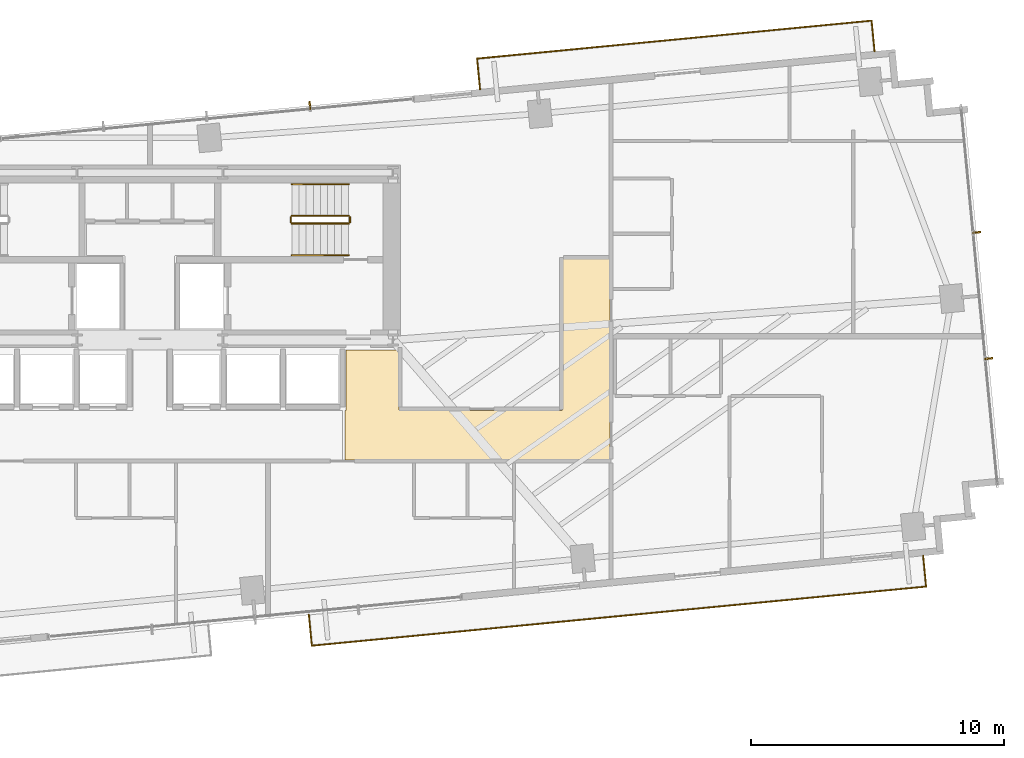
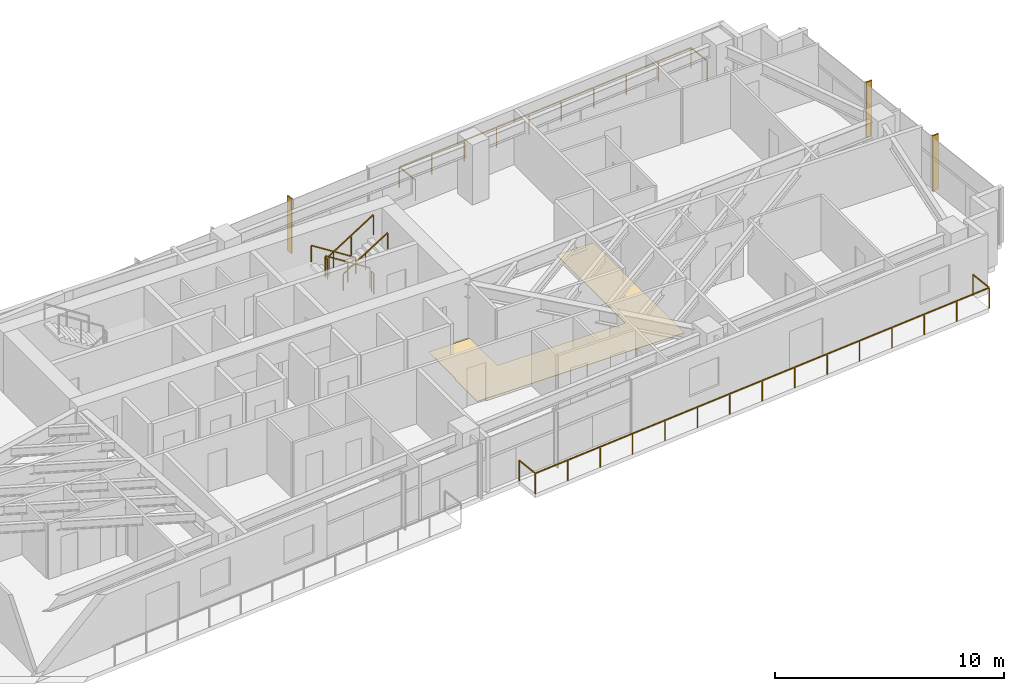
# One storey, part 27 of 27: 8 railings, 3 shading devices, 1 covering.
"""IFC4 building model written with IfcOpenShell, lengths in metres."""

from ifc_helpers import new_model, si_unit, direction, frame, origin, origin_2d, place, context, subcontext, project, spatial, polyline, rectangle, outline, extrude, source, transform, mapped, material, layer, layer_set, type_object, type_shapes, element, save


model = new_model("IFC4")

# Units and contexts
model_context = context("Model", 3, precision=1e-05, world=origin(), true_north=direction((0.0, 1.0)))
body_context = subcontext(model_context, "Body", "Model", "MODEL_VIEW")
ifc_project = project(units=[si_unit("LENGTHUNIT", "METRE"), si_unit("AREAUNIT", "SQUARE_METRE"), si_unit("VOLUMEUNIT", "CUBIC_METRE"), si_unit("PLANEANGLEUNIT", "RADIAN"), si_unit("MASSUNIT", "GRAM", prefix="KILO")], contexts=[model_context])

# Site, building, storey
site_placement = place(None, origin())
site = spatial("IfcSite", under=ifc_project, at=site_placement, CompositionType="ELEMENT")
building_placement = place(site_placement, origin())
building = spatial("IfcBuilding", under=site, at=building_placement, Name="Astriad Promenade Condominiums", CompositionType="ELEMENT")
storey_placement = place(building_placement, frame((0.0, 0.0, 97.0)))
storey = spatial("IfcBuildingStorey", under=building, at=storey_placement, Name="L27", CompositionType="ELEMENT", Elevation=97.0)

# Covering
ifc_material_1 = material(Name="Polished Lakefront Terrazzo Flooring")
ifc_layer = layer(ifc_material_1, 0.02001953125)
ifc_layer_set = layer_set([ifc_layer], Name="Polished Lakefront Terrazzo Flooring")
covering_type = type_object("IfcCoveringType", Name="COV-FLOR-TERRAZZO-20", PredefinedType="FLOORING", material=ifc_layer_set)
covering_placement = place(storey_placement, origin())
element("IfcCovering", 1, at=covering_placement, inside=storey, type_object=covering_type, Name="FLR-L27-COR-1", PredefinedType="FLOORING", context=body_context, shape_type="SweptSolid", body=[
    extrude(outline(polyline([(43.699951171875, 12.669921875), (43.699951171875, 14.610107421875), (43.703857421875, 14.610107421875), (43.707763671875, 14.61083984375), (43.711669921875, 14.61181640625), (43.71533203125, 14.613037109375), (43.718994140625, 14.61474609375), (43.72216796875, 14.61669921875), (43.725341796875, 14.619140625), (43.728271484375, 14.62158203125), (43.73095703125, 14.62451171875), (43.7333984375, 14.627685546875), (43.7353515625, 14.631103515625), (43.737060546875, 14.634765625), (43.73828125, 14.638427734375), (43.7392578125, 14.64208984375), (43.73974609375, 14.64599609375), (43.739990234375, 14.64990234375), (43.739990234375, 17.010009765625), (45.840087890625, 17.010009765625), (45.840087890625, 14.659912109375), (45.840087890625, 14.656005859375), (45.8408203125, 14.652099609375), (45.841796875, 14.6484375), (45.843017578125, 14.644775390625), (45.8447265625, 14.64111328125), (45.8466796875, 14.6376953125), (45.84912109375, 14.634521484375), (45.851806640625, 14.631591796875), (45.8544921875, 14.629150390625), (45.85791015625, 14.626708984375), (45.861083984375, 14.624755859375), (45.86474609375, 14.623046875), (45.868408203125, 14.62158203125), (45.872314453125, 14.620849609375), (45.876220703125, 14.6201171875), (45.8798828125, 14.6201171875), (52.25, 14.6201171875), (52.25390625, 14.6201171875), (52.2578125, 14.620849609375), (52.26171875, 14.62158203125), (52.265380859375, 14.623046875), (52.268798828125, 14.624755859375), (52.272216796875, 14.626708984375), (52.275390625, 14.629150390625), (52.2783203125, 14.631591796875), (52.281005859375, 14.634521484375), (52.283203125, 14.6376953125), (52.285400390625, 14.64111328125), (52.287109375, 14.644775390625), (52.288330078125, 14.6484375), (52.289306640625, 14.652099609375), (52.289794921875, 14.656005859375), (52.2900390625, 14.659912109375), (52.2900390625, 20.610107421875), (54.159912109375, 20.610107421875), (54.159912109375, 12.669921875), (43.699951171875, 12.669921875)])), origin(), (0.0, 0.0, 1.0), 0.02001953125),
])

# Shading devices
ifc_material_2 = material(Name="Anodised aluminium 6063-T6 Black Fin", Category="aluminium")
shading_device_type = type_object("IfcShadingDeviceType", Name="FIN-BLACK-320", PredefinedType="USERDEFINED", material=ifc_material_2)
shared_shape_1 = source(origin(), body_context, "Body", "SweptSolid", [
    extrude(rectangle(XDim=0.06494140625, YDim=0.320068359375, at=origin_2d()), origin(), (0.0, 0.0, 1.0), 2.93994140625),
])
type_shapes(shading_device_type, [shared_shape_1])
for number, where, z_axis, x_axis, name in (
    (2, (42.31689453125, 26.656494140625, 0.0), (0.0, 0.0, 1.0), (0.995396198367, 0.09584575252, 0.0), "CW-L27-N-FIN-03"),
    (3, (68.63330078125, 21.6455078125, 0.0), (0.0, 0.0, 1.0), (0.09584575252, -0.995396198367, 0.0), "CW-L27-E-FIN-01"),
    (4, (69.1123046875, 16.668701171875, 0.0), (0.0, 0.0, 1.0), (0.09584575252, -0.995396198367, 0.0), "CW-L27-E-FIN-02"),
):
    element("IfcShadingDevice", number, at=place(storey_placement, frame(where, z_axis=z_axis, x_axis=x_axis)), inside=storey, type_object=shading_device_type, Name=name, ObjectType="FIN", PredefinedType="USERDEFINED", context=body_context, shape_type="MappedRepresentation", body=[
        mapped(shared_shape_1, transform((0.0, 0.0, 0.0), scale=1.0)),
    ])

# Railings
ifc_material_3 = material(Name="Laminated Glass and Stainless Steel Balustrade", Category="steel")
railing_type_1 = type_object("IfcRailingType", Name="GRD-BALC-1120", PredefinedType="BALUSTRADE", material=ifc_material_3)
shared_shape_2 = source(origin(), body_context, "Body", "SweptSolid", [
    extrude(rectangle(XDim=0.048095703125, YDim=0.048095703125, at=origin_2d()), frame((0.0, 0.0, 1.09619140625), z_axis=(0.095857307208, -0.99539508571, 0.0), x_axis=(0.99539508571, 0.095857307208, 0.0)), (0.0, 0.0, 1.0), 1.219970703125),
    extrude(rectangle(XDim=0.048095703125, YDim=0.048095703125, at=origin_2d()), frame((0.116943359375, -1.21435546875, 1.09619140625), z_axis=(0.995396955122, 0.095837892993, 0.0), x_axis=(-0.095837892993, 0.995396955122, 0.0)), (0.0, 0.0, 1.0), 24.35595703125),
    extrude(rectangle(XDim=0.048095703125, YDim=0.048095703125, at=origin_2d()), frame((24.36083984375, 1.119873046875, 1.09619140625), z_axis=(-0.0958382164, 0.995396923984, 0.0), x_axis=(-0.995396923984, -0.0958382164, 0.0)), (0.0, 0.0, 1.0), 1.22021484375),
    extrude(rectangle(XDim=0.0419921875, YDim=0.0419921875, at=origin_2d()), origin(), (0.0, 0.0, 1.0), 1.072021484375),
    extrude(rectangle(XDim=0.0419921875, YDim=0.0419921875, at=origin_2d()), frame((0.116943359375, -1.21435546875, 0.0)), (0.0, 0.0, 1.0), 1.072021484375),
    extrude(rectangle(XDim=0.0419921875, YDim=0.0419921875, at=origin_2d()), frame((1.8486328125, -1.047607421875, 0.0)), (0.0, 0.0, 1.0), 1.072021484375),
    extrude(rectangle(XDim=0.0419921875, YDim=0.0419921875, at=origin_2d()), frame((3.580322265625, -0.880859375, 0.0)), (0.0, 0.0, 1.0), 1.072021484375),
    extrude(rectangle(XDim=0.0419921875, YDim=0.0419921875, at=origin_2d()), frame((5.31201171875, -0.714111328125, 0.0)), (0.0, 0.0, 1.0), 1.072021484375),
    extrude(rectangle(XDim=0.0419921875, YDim=0.0419921875, at=origin_2d()), frame((7.043701171875, -0.54736328125, 0.0)), (0.0, 0.0, 1.0), 1.072021484375),
    extrude(rectangle(XDim=0.0419921875, YDim=0.0419921875, at=origin_2d()), frame((8.775390625, -0.380615234375, 0.0)), (0.0, 0.0, 1.0), 1.072021484375),
    extrude(rectangle(XDim=0.0419921875, YDim=0.0419921875, at=origin_2d()), frame((10.507080078125, -0.2138671875, 0.0)), (0.0, 0.0, 1.0), 1.072021484375),
    extrude(rectangle(XDim=0.0419921875, YDim=0.0419921875, at=origin_2d()), frame((12.23876953125, -0.04736328125, 0.0)), (0.0, 0.0, 1.0), 1.072021484375),
    extrude(rectangle(XDim=0.0419921875, YDim=0.0419921875, at=origin_2d()), frame((13.970703125, 0.119384765625, 0.0)), (0.0, 0.0, 1.0), 1.072021484375),
    extrude(rectangle(XDim=0.0419921875, YDim=0.0419921875, at=origin_2d()), frame((15.702392578125, 0.2861328125, 0.0)), (0.0, 0.0, 1.0), 1.072021484375),
    extrude(rectangle(XDim=0.0419921875, YDim=0.0419921875, at=origin_2d()), frame((17.43408203125, 0.452880859375, 0.0)), (0.0, 0.0, 1.0), 1.072021484375),
    extrude(rectangle(XDim=0.0419921875, YDim=0.0419921875, at=origin_2d()), frame((19.165771484375, 0.61962890625, 0.0)), (0.0, 0.0, 1.0), 1.072021484375),
    extrude(rectangle(XDim=0.0419921875, YDim=0.0419921875, at=origin_2d()), frame((20.8974609375, 0.786376953125, 0.0)), (0.0, 0.0, 1.0), 1.072021484375),
    extrude(rectangle(XDim=0.0419921875, YDim=0.0419921875, at=origin_2d()), frame((22.629150390625, 0.953125, 0.0)), (0.0, 0.0, 1.0), 1.072021484375),
    extrude(rectangle(XDim=0.0419921875, YDim=0.0419921875, at=origin_2d()), frame((24.36083984375, 1.119873046875, 0.0)), (0.0, 0.0, 1.0), 1.072021484375),
    extrude(rectangle(XDim=0.0419921875, YDim=0.0419921875, at=origin_2d()), frame((24.243896484375, 2.33447265625, 0.0)), (0.0, 0.0, 1.0), 1.072021484375),
])
railing_1_placement = place(storey_placement, frame((42.276611328125, 6.550048828125, 0.0)))
element("IfcRailing", 5, at=railing_1_placement, inside=storey, type_object=railing_type_1, Name="GRD-BALC-L27-SE", PredefinedType="BALUSTRADE", context=body_context, shape_type="MappedRepresentation", body=[
    mapped(shared_shape_2, transform((0.0, 0.0, 0.0), scale=1.0)),
])
shared_shape_3 = source(origin(), body_context, "Body", "SweptSolid", [
    extrude(rectangle(XDim=0.048095703125, YDim=0.048095703125, at=origin_2d()), frame((0.0, 0.0, 1.09619140625), z_axis=(-0.095659020692, 0.99541416092, 0.0), x_axis=(-0.99541416092, -0.095659020692, 0.0)), (0.0, 0.0, 1.0), 1.219970703125),
    extrude(rectangle(XDim=0.048095703125, YDim=0.048095703125, at=origin_2d()), frame((-0.11669921875, 1.21435546875, 1.09619140625), z_axis=(-0.995397098146, -0.095836407502, 0.0), x_axis=(0.095836407502, -0.995397098146, 0.0)), (0.0, 0.0, 1.0), 15.64404296875),
    extrude(rectangle(XDim=0.048095703125, YDim=0.048095703125, at=origin_2d()), frame((-15.688720703125, -0.284912109375, 1.09619140625), z_axis=(0.095659020692, -0.99541416092, 0.0), x_axis=(0.99541416092, 0.095659020692, 0.0)), (0.0, 0.0, 1.0), 1.219970703125),
    extrude(rectangle(XDim=0.0419921875, YDim=0.0419921875, at=origin_2d()), origin(), (0.0, 0.0, 1.0), 1.072021484375),
    extrude(rectangle(XDim=0.0419921875, YDim=0.0419921875, at=origin_2d()), frame((-0.11669921875, 1.21435546875, 0.0)), (0.0, 0.0, 1.0), 1.072021484375),
    extrude(rectangle(XDim=0.0419921875, YDim=0.0419921875, at=origin_2d()), frame((-1.846923828125, 1.0478515625, 0.0)), (0.0, 0.0, 1.0), 1.072021484375),
    extrude(rectangle(XDim=0.0419921875, YDim=0.0419921875, at=origin_2d()), frame((-3.5771484375, 0.881103515625, 0.0)), (0.0, 0.0, 1.0), 1.072021484375),
    extrude(rectangle(XDim=0.0419921875, YDim=0.0419921875, at=origin_2d()), frame((-5.307373046875, 0.714599609375, 0.0)), (0.0, 0.0, 1.0), 1.072021484375),
    extrude(rectangle(XDim=0.0419921875, YDim=0.0419921875, at=origin_2d()), frame((-7.03759765625, 0.548095703125, 0.0)), (0.0, 0.0, 1.0), 1.072021484375),
    extrude(rectangle(XDim=0.0419921875, YDim=0.0419921875, at=origin_2d()), frame((-8.767822265625, 0.38134765625, 0.0)), (0.0, 0.0, 1.0), 1.072021484375),
    extrude(rectangle(XDim=0.0419921875, YDim=0.0419921875, at=origin_2d()), frame((-10.498046875, 0.21484375, 0.0)), (0.0, 0.0, 1.0), 1.072021484375),
    extrude(rectangle(XDim=0.0419921875, YDim=0.0419921875, at=origin_2d()), frame((-12.228271484375, 0.04833984375, 0.0)), (0.0, 0.0, 1.0), 1.072021484375),
    extrude(rectangle(XDim=0.0419921875, YDim=0.0419921875, at=origin_2d()), frame((-13.95849609375, -0.118408203125, 0.0)), (0.0, 0.0, 1.0), 1.072021484375),
    extrude(rectangle(XDim=0.0419921875, YDim=0.0419921875, at=origin_2d()), frame((-15.688720703125, -0.284912109375, 0.0)), (0.0, 0.0, 1.0), 1.072021484375),
    extrude(rectangle(XDim=0.0419921875, YDim=0.0419921875, at=origin_2d()), frame((-15.572021484375, -1.499267578125, 0.0)), (0.0, 0.0, 1.0), 1.072021484375),
])
type_shapes(railing_type_1, [shared_shape_2, shared_shape_3])
railing_2_placement = place(storey_placement, frame((64.603515625, 28.792236328125, 0.0)))
element("IfcRailing", 6, at=railing_2_placement, inside=storey, type_object=railing_type_1, Name="GRD-BALC-L27-NE", PredefinedType="BALUSTRADE", context=body_context, shape_type="MappedRepresentation", body=[
    mapped(shared_shape_3, transform((0.0, 0.0, 0.0), scale=1.0)),
])
ifc_material_4 = material(Name="Painted Galvanised Steel Guardrail", Category="steel")
railing_type_2 = type_object("IfcRailingType", Name="GRD-STAIR-1100", PredefinedType="GUARDRAIL", material=ifc_material_4)
shared_shape_4 = source(origin(), body_context, "Body", "SweptSolid", [
    extrude(rectangle(XDim=0.048095703125, YDim=0.048095703125, at=origin_2d()), frame((0.0, 0.0, 1.076171875), z_axis=(0.8442293374, 0.0, 0.53598211339), x_axis=(0.0, 1.0, 0.0)), (0.0, 0.0, 1.0), 2.6533203125),
    extrude(rectangle(XDim=0.0419921875, YDim=0.0419921875, at=origin_2d()), origin(), (0.0, 0.0, 1.0), 1.052001953125),
    extrude(rectangle(XDim=0.0419921875, YDim=0.0419921875, at=origin_2d()), frame((1.1201171875, 0.0, 0.7109375)), (0.0, 0.0, 1.0), 1.052001953125),
    extrude(rectangle(XDim=0.0419921875, YDim=0.0419921875, at=origin_2d()), frame((2.239990234375, 0.0, 1.422119140625)), (0.0, 0.0, 1.0), 1.052001953125),
])
railing_3_placement = place(storey_placement, frame((41.610107421875, 22.0, 1.77783203125)))
element("IfcRailing", 7, at=railing_3_placement, inside=storey, type_object=railing_type_2, Name="L27 ST-2 stair guard 3", PredefinedType="GUARDRAIL", context=body_context, shape_type="MappedRepresentation", body=[
    mapped(shared_shape_4, transform((0.0, 0.0, 0.0), scale=1.0)),
])
shared_shape_5 = source(origin(), body_context, "Body", "SweptSolid", [
    extrude(rectangle(XDim=0.048095703125, YDim=0.048095703125, at=origin_2d()), frame((0.0, 0.0, 1.076171875), z_axis=(-0.84418770128, 0.0, 0.536047689118), x_axis=(0.0, -1.0, 0.0)), (0.0, 0.0, 1.0), 2.6533203125),
    extrude(rectangle(XDim=0.0419921875, YDim=0.0419921875, at=origin_2d()), origin(), (0.0, 0.0, 1.0), 1.052001953125),
    extrude(rectangle(XDim=0.0419921875, YDim=0.0419921875, at=origin_2d()), frame((-1.1201171875, 0.0, 0.711181640625)), (0.0, 0.0, 1.0), 1.052001953125),
    extrude(rectangle(XDim=0.0419921875, YDim=0.0419921875, at=origin_2d()), frame((-2.239990234375, 0.0, 1.42236328125)), (0.0, 0.0, 1.0), 1.052001953125),
])
railing_4_placement = place(storey_placement, frame((43.85009765625, 22.300048828125, 0.177734375)))
element("IfcRailing", 8, at=railing_4_placement, inside=storey, type_object=railing_type_2, Name="L27 ST-2 stair guard 1", PredefinedType="GUARDRAIL", context=body_context, shape_type="MappedRepresentation", body=[
    mapped(shared_shape_5, transform((0.0, 0.0, 0.0), scale=1.0)),
])
ifc_material_5 = material(Name="Brushed Stainless Steel Handrail", Category="steel")
railing_type_3 = type_object("IfcRailingType", Name="HRL-STAIR-920", PredefinedType="HANDRAIL", material=ifc_material_5)
shared_shape_6 = source(origin(), body_context, "Body", "SweptSolid", [
    extrude(rectangle(XDim=0.048095703125, YDim=0.048095703125, at=origin_2d()), frame((0.0, 0.0, 0.8759765625), z_axis=(0.8442293374, 0.0, 0.53598211339), x_axis=(0.0, 1.0, 0.0)), (0.0, 0.0, 1.0), 2.6533203125),
    extrude(rectangle(XDim=0.0419921875, YDim=0.0419921875, at=origin_2d()), origin(), (0.0, 0.0, 1.0), 0.851806640625),
    extrude(rectangle(XDim=0.0419921875, YDim=0.0419921875, at=origin_2d()), frame((1.1201171875, 0.0, 0.7109375)), (0.0, 0.0, 1.0), 0.851806640625),
    extrude(rectangle(XDim=0.0419921875, YDim=0.0419921875, at=origin_2d()), frame((2.239990234375, 0.0, 1.422119140625)), (0.0, 0.0, 1.0), 0.851806640625),
])
railing_5_placement = place(storey_placement, frame((41.610107421875, 20.75, 1.77783203125)))
element("IfcRailing", 9, at=railing_5_placement, inside=storey, type_object=railing_type_3, Name="L27 ST-2 stair handrail 2", PredefinedType="HANDRAIL", context=body_context, shape_type="MappedRepresentation", body=[
    mapped(shared_shape_6, transform((0.0, 0.0, 0.0), scale=1.0)),
])
shared_shape_7 = source(origin(), body_context, "Body", "SweptSolid", [
    extrude(rectangle(XDim=0.048095703125, YDim=0.048095703125, at=origin_2d()), frame((0.0, 0.0, 0.8759765625), z_axis=(-0.84418770128, 0.0, 0.536047689118), x_axis=(0.0, -1.0, 0.0)), (0.0, 0.0, 1.0), 2.6533203125),
    extrude(rectangle(XDim=0.0419921875, YDim=0.0419921875, at=origin_2d()), origin(), (0.0, 0.0, 1.0), 0.851806640625),
    extrude(rectangle(XDim=0.0419921875, YDim=0.0419921875, at=origin_2d()), frame((-1.1201171875, 0.0, 0.711181640625)), (0.0, 0.0, 1.0), 0.851806640625),
    extrude(rectangle(XDim=0.0419921875, YDim=0.0419921875, at=origin_2d()), frame((-2.239990234375, 0.0, 1.42236328125)), (0.0, 0.0, 1.0), 0.851806640625),
])
type_shapes(railing_type_3, [shared_shape_6, shared_shape_7])
railing_6_placement = place(storey_placement, frame((43.85009765625, 23.550048828125, 0.177734375)))
element("IfcRailing", 10, at=railing_6_placement, inside=storey, type_object=railing_type_3, Name="L27 ST-2 stair handrail 1", PredefinedType="HANDRAIL", context=body_context, shape_type="MappedRepresentation", body=[
    mapped(shared_shape_7, transform((0.0, 0.0, 0.0), scale=1.0)),
])
shared_shape_8 = source(origin(), body_context, "Body", "SweptSolid", [
    extrude(rectangle(XDim=0.048095703125, YDim=0.048095703125, at=origin_2d()), frame((0.0, 0.0, 1.076171875), z_axis=(0.0, -1.0, 0.0), x_axis=(1.0, 0.0, 0.0)), (0.0, 0.0, 1.0), 0.199951171875),
    extrude(rectangle(XDim=0.0419921875, YDim=0.0419921875, at=origin_2d()), origin(), (0.0, 0.0, 1.0), 1.052001953125),
    extrude(rectangle(XDim=0.0419921875, YDim=0.0419921875, at=origin_2d()), frame((0.0, -0.199951171875, 0.0)), (0.0, 0.0, 1.0), 1.052001953125),
])
type_shapes(railing_type_2, [shared_shape_4, shared_shape_5, shared_shape_8])
for number, where, name in (
    (11, (41.56005859375, 22.25, 1.60009765625), "L27 ST-2 stair guard 2"),
    (12, (43.89990234375, 22.25, 0.0), "L27 ST-2 stair guard 4"),
):
    element("IfcRailing", number, at=place(storey_placement, frame(where)), inside=storey, type_object=railing_type_2, Name=name, PredefinedType="GUARDRAIL", context=body_context, shape_type="MappedRepresentation", body=[
        mapped(shared_shape_8, transform((0.0, 0.0, 0.0), scale=1.0)),
    ])

save(model, "model.ifc")
